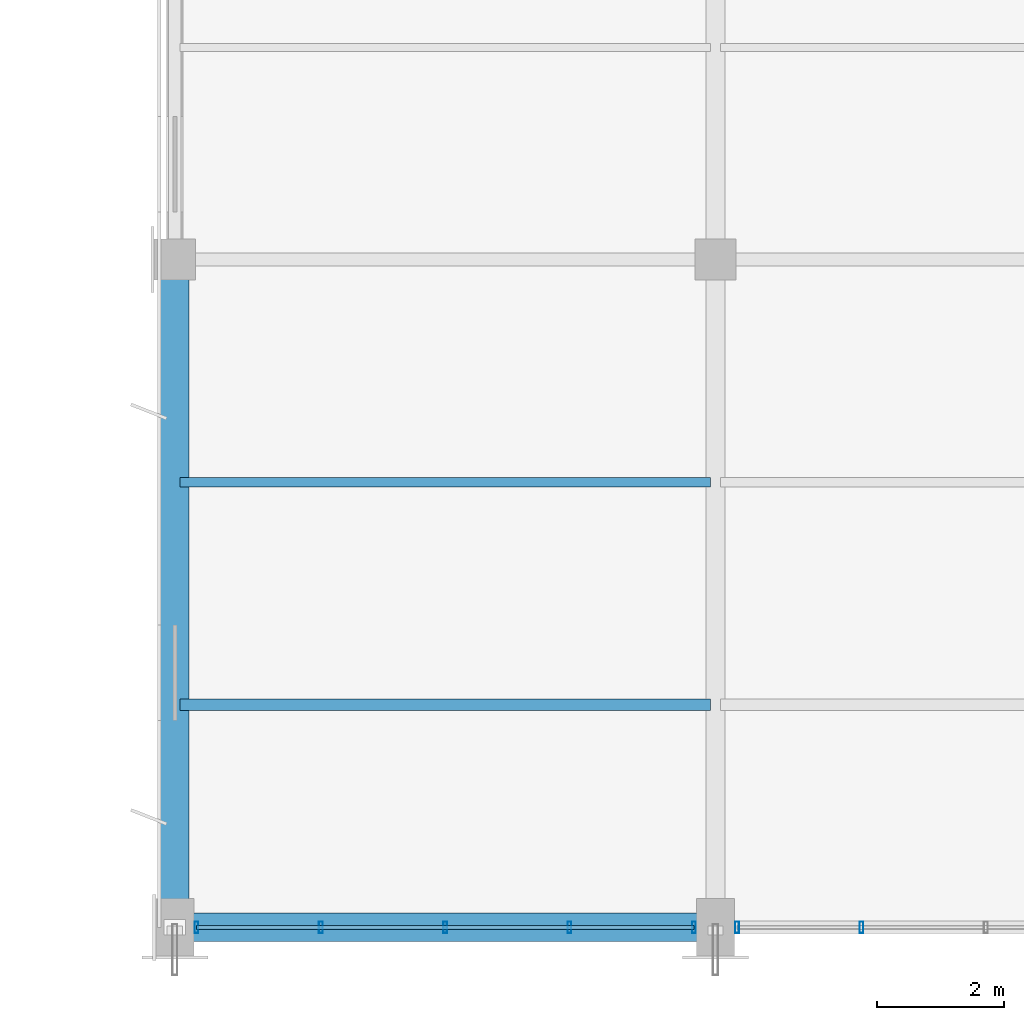
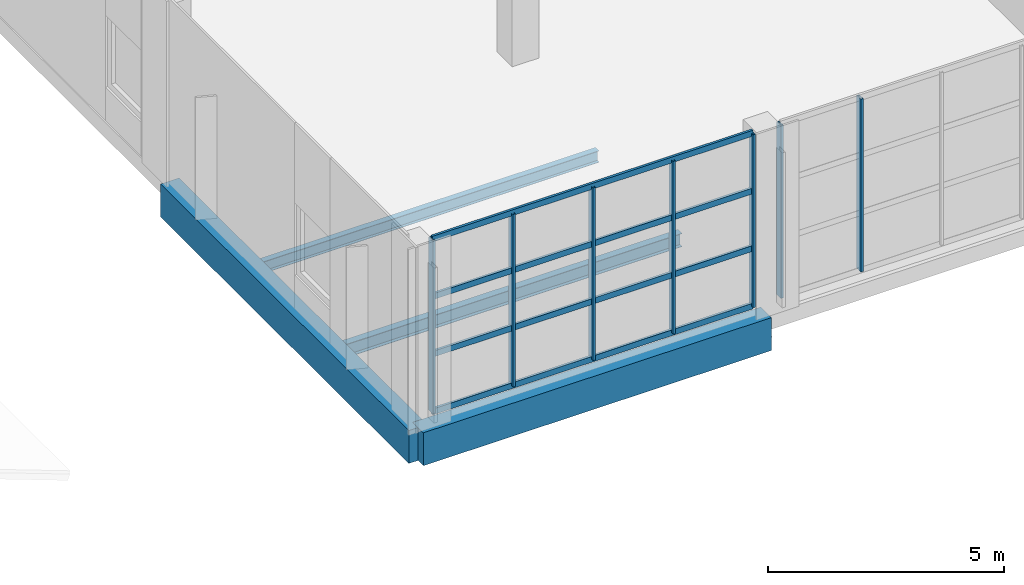
# One storey, part 3 of 66: 11 members, 4 beams, 2 elements without a shape of their own.
"""IFC4 building model written with IfcOpenShell, lengths in metres."""

from ifc_helpers import new_model, si_unit, direction, frame, origin, origin_2d, place, context, subcontext, project, spatial, rectangle, hollow_rectangle, i_section, extrude, material, material_profile, profile_set, type_object, element, aggregate, save


model = new_model("IFC4")

# Units and contexts
model_context = context("Model", 3, precision=1e-05, world=origin(), true_north=direction((0.0, 1.0)))
body_context = subcontext(model_context, "Body", "Model", "MODEL_VIEW")
ifc_project = project(units=[si_unit("LENGTHUNIT", "METRE"), si_unit("AREAUNIT", "SQUARE_METRE"), si_unit("VOLUMEUNIT", "CUBIC_METRE"), si_unit("PLANEANGLEUNIT", "RADIAN"), si_unit("MASSUNIT", "GRAM", prefix="KILO")], contexts=[model_context])

# Site, building, storey
site_placement = place(None, origin())
site = spatial("IfcSite", under=ifc_project, at=site_placement, CompositionType="ELEMENT")
building_placement = place(site_placement, origin())
building = spatial("IfcBuilding", under=site, at=building_placement, Name="Solvikara Media Centre", CompositionType="ELEMENT")
storey_placement = place(building_placement, frame((0.0, 0.0, 19.800048828125)))
storey = spatial("IfcBuildingStorey", under=building, at=storey_placement, Name="L04", CompositionType="ELEMENT", Elevation=19.800048828125)

# Beams
ifc_material_1 = material(Name="Concrete fc' 35 MPa (C35/45)", Category="concrete")
ifc_material_profile_1 = material_profile(ifc_material_1, rectangle(XDim=0.449951171875, YDim=0.85009765625, at=origin_2d()), Name="RC 450x850")
ifc_profile_set_1 = profile_set([ifc_material_profile_1], Name="Concrete fc' 35 MPa (C35/45)")
beam_type_1 = type_object("IfcBeamType", Name="BM-14", PredefinedType="SPANDREL", material=ifc_profile_set_1)
beam_1_placement = place(storey_placement, frame((34.0, 0.0, -0.705078125), z_axis=(1.0, 0.0, 0.0), x_axis=(0.0, 1.0, 0.0)))
element("IfcBeam", 1, at=beam_1_placement, inside=storey, type_object=beam_type_1, Name="B-L04-X1434", PredefinedType="SPANDREL", context=body_context, shape_type="SweptSolid", body=[
    extrude(rectangle(XDim=0.449951171875, YDim=0.85009765625, at=origin_2d()), origin(), (0.0, 0.0, 1.0), 8.5),
])
beam_2_placement = place(storey_placement, frame((34.0, 0.0, -0.705078125), z_axis=(0.0, 1.0, 0.0), x_axis=(-1.0, 0.0, 0.0)))
element("IfcBeam", 2, at=beam_2_placement, inside=storey, type_object=beam_type_1, Name="B-L04-Y1508", PredefinedType="SPANDREL", context=body_context, shape_type="SweptSolid", body=[
    extrude(rectangle(XDim=0.449951171875, YDim=0.85009765625, at=origin_2d()), origin(), (0.0, 0.0, 1.0), 10.5),
])
ifc_material_2 = material(Name="Steel S355JR", Category="steel")
ifc_material_profile_2 = material_profile(ifc_material_2, i_section(OverallWidth=0.174072265625, OverallDepth=0.345947265625, WebThickness=0.006103515625, FlangeThickness=0.009033203125, at=origin_2d()), Name="WF 346x174x6x9")
ifc_profile_set_2 = profile_set([ifc_material_profile_2], Name="Steel S355JR")
beam_type_2 = type_object("IfcBeamType", Name="BM-38", PredefinedType="JOIST", material=ifc_profile_set_2)
beam_3_placement = place(storey_placement, frame((34.077880859375, 3.5, -0.455078125), z_axis=(1.0, 0.0, 0.0), x_axis=(0.0, 1.0, 0.0)))
element("IfcBeam", 3, at=beam_3_placement, inside=storey, type_object=beam_type_2, Name="J-L04-1590", PredefinedType="JOIST", context=body_context, shape_type="SweptSolid", body=[
    extrude(i_section(OverallWidth=0.174072265625, OverallDepth=0.345947265625, WebThickness=0.006103515625, FlangeThickness=0.009033203125, at=origin_2d()), origin(), (0.0, 0.0, 1.0), 8.34423828125),
])
ifc_material_profile_3 = material_profile(ifc_material_2, i_section(OverallWidth=0.14892578125, OverallDepth=0.298095703125, WebThickness=0.005615234375, FlangeThickness=0.008056640625, at=origin_2d()), Name="WF 298x149x5.5x8")
ifc_profile_set_3 = profile_set([ifc_material_profile_3], Name="Steel S355JR")
beam_type_3 = type_object("IfcBeamType", Name="BM-39", PredefinedType="JOIST", material=ifc_profile_set_3)
beam_4_placement = place(storey_placement, frame((34.077880859375, 7.0, -0.43115234375), z_axis=(1.0, 0.0, 0.0), x_axis=(0.0, 1.0, 0.0)))
element("IfcBeam", 4, at=beam_4_placement, inside=storey, type_object=beam_type_3, Name="J-L04-1591", PredefinedType="JOIST", context=body_context, shape_type="SweptSolid", body=[
    extrude(i_section(OverallWidth=0.14892578125, OverallDepth=0.298095703125, WebThickness=0.005615234375, FlangeThickness=0.008056640625, at=origin_2d()), origin(), (0.0, 0.0, 1.0), 8.34423828125),
])

# Curtain wall, members
ifc_material_3 = material(Name="Anodised aluminium EN AW-6063", Category="aluminium")
curtain_wall_type = type_object("IfcCurtainWallType", Name="CW-15", PredefinedType="NOTDEFINED", material=ifc_material_3)
curtain_wall_1_placement = place(storey_placement, origin())
curtain_wall_1 = element("IfcCurtainWall", 5, at=curtain_wall_1_placement, inside=storey, type_object=curtain_wall_type, Name="CW-L04-V6S-1", PredefinedType="NOTDEFINED")
ifc_material_profile_4 = material_profile(ifc_material_3, hollow_rectangle(XDim=0.06005859375, YDim=0.179931640625, WallThickness=0.00341796875, at=origin_2d()), Name="ALU-M 60x180x3.5")
ifc_profile_set_4 = profile_set([ifc_material_profile_4], Name="Anodised aluminium EN AW-6063")
member_type_1 = type_object("IfcMemberType", Name="MF-03", PredefinedType="MULLION", material=ifc_profile_set_4)
member_1_placement = place(storey_placement, frame((34.340087890625, 0.0, 0.02001953125), z_axis=(0.0, 0.0, 1.0), x_axis=(1.0, 0.0, 0.0)))
member_1 = element("IfcMember", 6, at=member_1_placement, type_object=member_type_1, Name="CW-L04-V6S-1-M00", PredefinedType="MULLION", context=body_context, shape_type="SweptSolid", body=[
    extrude(hollow_rectangle(XDim=0.06005859375, YDim=0.179931640625, WallThickness=0.00341796875, at=origin_2d()), origin(), (0.0, 0.0, 1.0), 4.4599609375),
])
member_2_placement = place(storey_placement, frame((36.294921875, 0.0, 0.02001953125), z_axis=(0.0, 0.0, 1.0), x_axis=(1.0, 0.0, 0.0)))
member_2 = element("IfcMember", 7, at=member_2_placement, type_object=member_type_1, Name="CW-L04-V6S-1-M01", PredefinedType="MULLION", context=body_context, shape_type="SweptSolid", body=[
    extrude(hollow_rectangle(XDim=0.06005859375, YDim=0.179931640625, WallThickness=0.00341796875, at=origin_2d()), origin(), (0.0, 0.0, 1.0), 4.4599609375),
])
member_3_placement = place(storey_placement, frame((38.25, 0.0, 0.02001953125), z_axis=(0.0, 0.0, 1.0), x_axis=(1.0, 0.0, 0.0)))
member_3 = element("IfcMember", 8, at=member_3_placement, type_object=member_type_1, Name="CW-L04-V6S-1-M02", PredefinedType="MULLION", context=body_context, shape_type="SweptSolid", body=[
    extrude(hollow_rectangle(XDim=0.06005859375, YDim=0.179931640625, WallThickness=0.00341796875, at=origin_2d()), origin(), (0.0, 0.0, 1.0), 4.4599609375),
])
member_4_placement = place(storey_placement, frame((40.205078125, 0.0, 0.02001953125), z_axis=(0.0, 0.0, 1.0), x_axis=(1.0, 0.0, 0.0)))
member_4 = element("IfcMember", 9, at=member_4_placement, type_object=member_type_1, Name="CW-L04-V6S-1-M03", PredefinedType="MULLION", context=body_context, shape_type="SweptSolid", body=[
    extrude(hollow_rectangle(XDim=0.06005859375, YDim=0.179931640625, WallThickness=0.00341796875, at=origin_2d()), origin(), (0.0, 0.0, 1.0), 4.4599609375),
])
member_5_placement = place(storey_placement, frame((42.159912109375, 0.0, 0.02001953125), z_axis=(0.0, 0.0, 1.0), x_axis=(1.0, 0.0, 0.0)))
member_5 = element("IfcMember", 10, at=member_5_placement, type_object=member_type_1, Name="CW-L04-V6S-1-M04", PredefinedType="MULLION", context=body_context, shape_type="SweptSolid", body=[
    extrude(hollow_rectangle(XDim=0.06005859375, YDim=0.179931640625, WallThickness=0.00341796875, at=origin_2d()), origin(), (0.0, 0.0, 1.0), 4.4599609375),
])

curtain_wall_2_placement = place(storey_placement, origin())
curtain_wall_2 = element("IfcCurtainWall", 11, at=curtain_wall_2_placement, inside=storey, type_object=curtain_wall_type, Name="CW-L04-V6S-2", PredefinedType="NOTDEFINED")
member_6_placement = place(storey_placement, frame((42.840087890625, 0.0, 0.02001953125), z_axis=(0.0, 0.0, 1.0), x_axis=(1.0, 0.0, 0.0)))
member_6 = element("IfcMember", 12, at=member_6_placement, type_object=member_type_1, Name="CW-L04-V6S-2-M00", PredefinedType="MULLION", context=body_context, shape_type="SweptSolid", body=[
    extrude(hollow_rectangle(XDim=0.06005859375, YDim=0.179931640625, WallThickness=0.00341796875, at=origin_2d()), origin(), (0.0, 0.0, 1.0), 4.4599609375),
])
member_7_placement = place(storey_placement, frame((44.794921875, 0.0, 0.02001953125), z_axis=(0.0, 0.0, 1.0), x_axis=(1.0, 0.0, 0.0)))
member_7 = element("IfcMember", 13, at=member_7_placement, type_object=member_type_1, Name="CW-L04-V6S-2-M01", PredefinedType="MULLION", context=body_context, shape_type="SweptSolid", body=[
    extrude(hollow_rectangle(XDim=0.06005859375, YDim=0.179931640625, WallThickness=0.00341796875, at=origin_2d()), origin(), (0.0, 0.0, 1.0), 4.4599609375),
])
aggregate(curtain_wall_2, [member_6, member_7])

# Member
ifc_material_profile_5 = material_profile(ifc_material_3, hollow_rectangle(XDim=0.06005859375, YDim=0.14990234375, WallThickness=0.0029296875, at=origin_2d()), Name="ALU-T 60x150x3")
ifc_profile_set_5 = profile_set([ifc_material_profile_5], Name="Anodised aluminium EN AW-6063")
member_type_2 = type_object("IfcMemberType", Name="MF-09", PredefinedType="USERDEFINED", material=ifc_profile_set_5)
member_8_placement = place(storey_placement, frame((34.340087890625, 0.0, 0.02001953125), z_axis=(1.0, 0.0, 0.0), x_axis=(0.0, 1.0, 0.0)))
member_8 = element("IfcMember", 14, at=member_8_placement, type_object=member_type_2, Name="CW-L04-V6S-1-T00", ObjectType="TRANSOM", PredefinedType="USERDEFINED", context=body_context, shape_type="SweptSolid", body=[
    extrude(hollow_rectangle(XDim=0.06005859375, YDim=0.14990234375, WallThickness=0.0029296875, at=origin_2d()), origin(), (0.0, 0.0, 1.0), 7.81982421875),
])

member_9_placement = place(storey_placement, frame((34.340087890625, 0.0, 1.5068359375), z_axis=(1.0, 0.0, 0.0), x_axis=(0.0, 1.0, 0.0)))
member_9 = element("IfcMember", 15, at=member_9_placement, type_object=member_type_2, Name="CW-L04-V6S-1-T01", ObjectType="TRANSOM", PredefinedType="USERDEFINED", context=body_context, shape_type="SweptSolid", body=[
    extrude(hollow_rectangle(XDim=0.06005859375, YDim=0.14990234375, WallThickness=0.0029296875, at=origin_2d()), origin(), (0.0, 0.0, 1.0), 7.81982421875),
])

member_10_placement = place(storey_placement, frame((34.340087890625, 0.0, 2.992919921875), z_axis=(1.0, 0.0, 0.0), x_axis=(0.0, 1.0, 0.0)))
member_10 = element("IfcMember", 16, at=member_10_placement, type_object=member_type_2, Name="CW-L04-V6S-1-T02", ObjectType="TRANSOM", PredefinedType="USERDEFINED", context=body_context, shape_type="SweptSolid", body=[
    extrude(hollow_rectangle(XDim=0.06005859375, YDim=0.14990234375, WallThickness=0.0029296875, at=origin_2d()), origin(), (0.0, 0.0, 1.0), 7.81982421875),
])

member_11_placement = place(storey_placement, frame((34.340087890625, 0.0, 4.47998046875), z_axis=(1.0, 0.0, 0.0), x_axis=(0.0, 1.0, 0.0)))
member_11 = element("IfcMember", 17, at=member_11_placement, type_object=member_type_2, Name="CW-L04-V6S-1-T03", ObjectType="TRANSOM", PredefinedType="USERDEFINED", context=body_context, shape_type="SweptSolid", body=[
    extrude(hollow_rectangle(XDim=0.06005859375, YDim=0.14990234375, WallThickness=0.0029296875, at=origin_2d()), origin(), (0.0, 0.0, 1.0), 7.81982421875),
])

aggregate(curtain_wall_1, [member_1, member_2, member_3, member_4, member_5, member_8, member_9, member_10, member_11])

save(model, "model.ifc")
